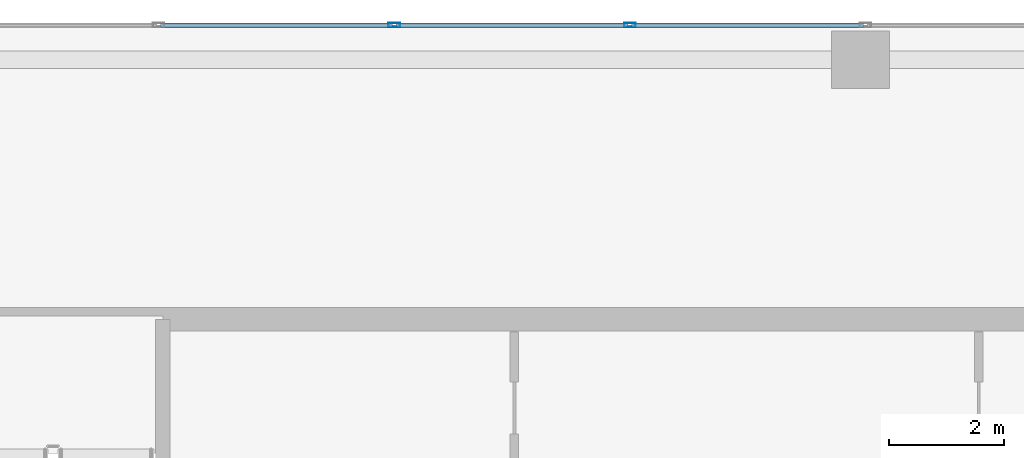
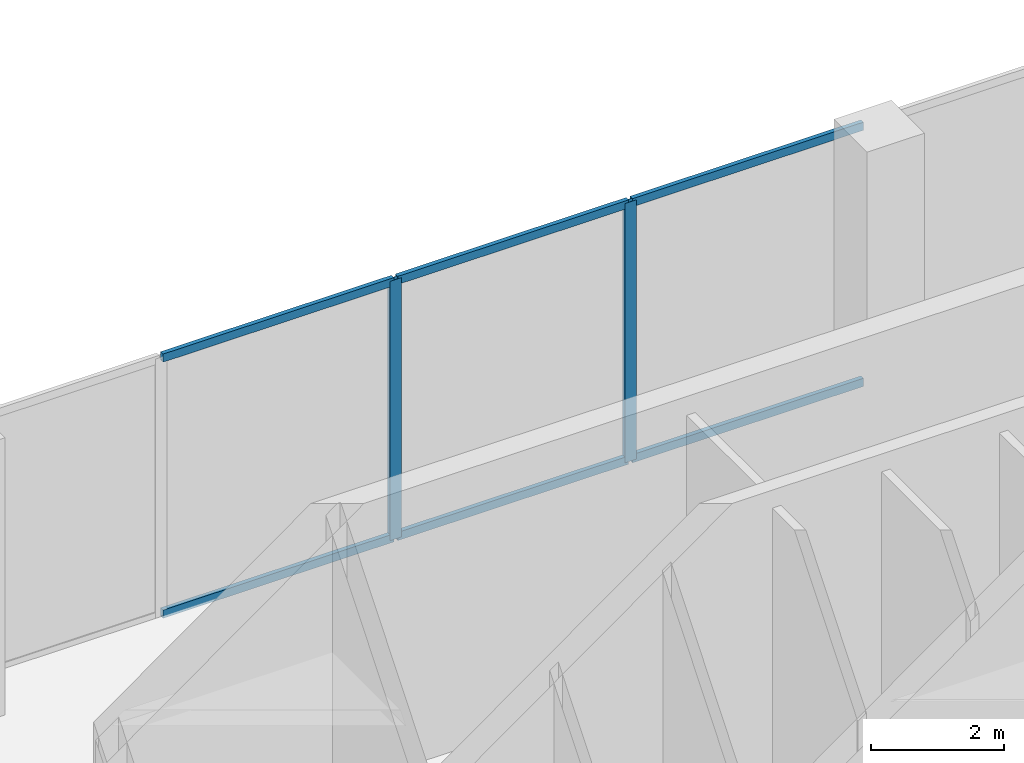
# One storey, part 15 of 24: 8 members, 1 element without a shape of its own.
"""IFC4 building model written with IfcOpenShell, lengths in metres."""

import ifcopenshell
import ifcopenshell.guid

model = None  # the IFC model being written
_history = None  # IfcOwnerHistory: only IFC2X3 demands one
_inside = {}  # id of a spatial element -> (the spatial element, [elements in it])
_under = {}  # id of a project, library or spatial element -> (it, [spatial elements below it])
_declared = {}  # id of a project -> (the project, [libraries it declares])
_typed = {}  # id of a type object -> (the type object, [elements of that type])
_made_of = {}  # id of a material, layer set ... -> (it, [elements and type objects made of it])


def new_model(schema):
    """Start an empty IFC model of exactly this schema.

    Asked for "IFC4X3", IfcOpenShell would pick the latest addendum, in which some entities
    have other attributes; the version numbers below select the first issue.
    IFC2X3 requires an IfcOwnerHistory on every rooted entity: one is made here for all.
    """
    global model, _history
    if schema == "IFC4X3":
        model = ifcopenshell.file(schema_version=(4, 3, 0, 0))
    else:
        model = ifcopenshell.file(schema=schema)
    _inside.clear()
    _under.clear()
    _declared.clear()
    _typed.clear()
    _made_of.clear()
    _history = None
    if model.schema == "IFC2X3":
        org = make("IfcOrganization", Name="unknown")
        user = make(
            "IfcPersonAndOrganization",
            ThePerson=make("IfcPerson", FamilyName="unknown"),
            TheOrganization=org,
        )
        app = make(
            "IfcApplication",
            ApplicationDeveloper=org,
            Version="unknown",
            ApplicationFullName="unknown",
            ApplicationIdentifier="unknown",
        )
        _history = make(
            "IfcOwnerHistory",
            OwningUser=user,
            OwningApplication=app,
            ChangeAction="ADDED",
            CreationDate=0,
        )
    return model


def make(cls, **values):
    """One entity of the class cls with the attributes given. An attribute that is None is left unset."""
    return model.create_entity(
        cls, **{name: value for name, value in values.items() if value is not None}
    )


def rooted(cls, **values):
    """An entity with a GlobalId (a new one), such as an element, a storey or a relation."""
    return make(cls, GlobalId=ifcopenshell.guid.new(), OwnerHistory=_history, **values)


def si_unit(unit_type, name, prefix=None):
    """IfcSIUnit, for example si_unit("LENGTHUNIT", "METRE", prefix="MILLI")."""
    return make("IfcSIUnit", UnitType=unit_type, Prefix=prefix, Name=name)


def assignment(units):
    """IfcUnitAssignment: the units of a project."""
    return None if units is None else make("IfcUnitAssignment", Units=units)


def point(xyz):
    """IfcCartesianPoint."""
    return None if xyz is None else make("IfcCartesianPoint", Coordinates=xyz)


def direction(xyz):
    """IfcDirection."""
    return None if xyz is None else make("IfcDirection", DirectionRatios=xyz)


def frame(location, z_axis=None, x_axis=None):
    """IfcAxis2Placement3D, a coordinate frame: its origin and axes. An axis left out is left unset."""
    return make(
        "IfcAxis2Placement3D",
        Location=point(location),
        Axis=direction(z_axis),
        RefDirection=direction(x_axis),
    )


def frame_2d(location, x_axis=None):
    """IfcAxis2Placement2D, a coordinate frame in the plane: its origin and x axis."""
    return make(
        "IfcAxis2Placement2D", Location=point(location), RefDirection=direction(x_axis)
    )


def origin():
    """The frame at (0, 0, 0) with its axes left unset."""
    return frame((0.0, 0.0, 0.0))


def origin_2d():
    """The frame at (0, 0) in the plane with its x axis left unset."""
    return frame_2d((0.0, 0.0))


def place(relative_to, where):
    """IfcLocalPlacement: puts the frame where relative to a parent placement (None: the world)."""
    return make(
        "IfcLocalPlacement", PlacementRelTo=relative_to, RelativePlacement=where
    )


def context(
    kind, dimensions, precision=None, world=None, true_north=None, identifier=None
):
    """IfcGeometricRepresentationContext, for example the 3D "Model" context."""
    return make(
        "IfcGeometricRepresentationContext",
        ContextIdentifier=identifier,
        ContextType=kind,
        CoordinateSpaceDimension=dimensions,
        Precision=precision,
        WorldCoordinateSystem=world,
        TrueNorth=true_north,
    )


def subcontext(parent, identifier, kind, view, scale=None):
    """IfcGeometricRepresentationSubContext, for example "Body" below "Model"."""
    return make(
        "IfcGeometricRepresentationSubContext",
        ContextIdentifier=identifier,
        ContextType=kind,
        ParentContext=parent,
        TargetScale=scale,
        TargetView=view,
    )


def project(units=None, contexts=None):
    """IfcProject with its units and contexts."""
    return rooted(
        "IfcProject",
        Name="project",
        RepresentationContexts=contexts,
        UnitsInContext=assignment(units),
    )


def spatial(cls, under=None, at=None, **own):
    """A site, building, storey or space (cls), placed at a placement, below another one or the project."""
    s = rooted(cls, ObjectPlacement=at, **own)
    if under is not None:
        _under.setdefault(under.id(), (under, []))[1].append(s)
    return s


def profile(cls, at=None, kind="AREA", **sizes):
    """A parametric profile (cls). Its sizes go by their IFC names, for example OverallWidth=200.0."""
    return make(cls, ProfileType=kind, Position=at, **sizes)


def hollow_rectangle(**sizes):
    """IfcRectangleHollowProfileDef."""
    return profile("IfcRectangleHollowProfileDef", **sizes)


def extrude(swept, where, along, depth):
    """IfcExtrudedAreaSolid: the profile swept, set in the frame where, extruded along a direction by depth."""
    return make(
        "IfcExtrudedAreaSolid",
        SweptArea=swept,
        Position=where,
        ExtrudedDirection=direction(along),
        Depth=depth,
    )


def shape(context_of_items, identifier, shape_type, items):
    """IfcShapeRepresentation: the items that make up one representation, for example the "Body"."""
    return make(
        "IfcShapeRepresentation",
        ContextOfItems=context_of_items,
        RepresentationIdentifier=identifier,
        RepresentationType=shape_type,
        Items=items,
    )


def material(Name=None, Category=None):
    """IfcMaterial."""
    return make("IfcMaterial", Name=Name, Category=Category)


def layer(
    of_material, thickness, ventilated=None, Name=None, Category=None, Priority=None
):
    """IfcMaterialLayer: one layer of a wall or slab, of a material (None: an air gap)."""
    return make(
        "IfcMaterialLayer",
        Material=of_material,
        LayerThickness=thickness,
        IsVentilated=ventilated,
        Name=Name,
        Category=Category,
        Priority=Priority,
    )


def layer_set(layers, Name=None):
    """IfcMaterialLayerSet."""
    return make("IfcMaterialLayerSet", MaterialLayers=layers, LayerSetName=Name)


def material_profile(
    of_material, cross_section, Name=None, Category=None, Priority=None
):
    """IfcMaterialProfile: a cross section and its material."""
    return make(
        "IfcMaterialProfile",
        Name=Name,
        Material=of_material,
        Profile=cross_section,
        Priority=Priority,
        Category=Category,
    )


def profile_set(profiles, Name=None, composite=None):
    """IfcMaterialProfileSet."""
    return make(
        "IfcMaterialProfileSet",
        Name=Name,
        MaterialProfiles=profiles,
        CompositeProfile=composite,
    )


def made_of(thing, what):
    """Note that an element or type object is made of a material, layer set ...; save() writes the relation."""
    if what is not None:
        _made_of.setdefault(what.id(), (what, []))[1].append(thing)
    return thing


def type_object(cls, material=None, **own):
    """A type object (cls), such as IfcWallType, which elements share."""
    return made_of(rooted(cls, **own), material)


def element(
    cls,
    number,
    at=None,
    inside=None,
    cuts=None,
    type_object=None,
    material=None,
    context=None,
    identifier="Body",
    shape_type=None,
    held_by="IfcProductDefinitionShape",
    body=None,
    shapes=None,
    **own,
):
    """One element of the class cls, such as IfcWall. Its Tag is "e" and its number.

    at: its placement. inside: the storey or other place that contains it. cuts: it is an
    opening in that element (IfcRelVoidsElement). A single representation is given by context,
    identifier, shape_type and body (its items); several are given by shapes. held_by: the class
    of the entity that holds the representations. save() writes the other relations.
    """
    e = rooted(cls, Tag="e%d" % number, ObjectPlacement=at, **own)
    if body is not None:
        shapes = [shape(context, identifier, shape_type, body)]
    if shapes is not None:
        e.Representation = make(held_by, Representations=shapes)
    if inside is not None:
        _inside.setdefault(inside.id(), (inside, []))[1].append(e)
    if cuts is not None:
        rooted(
            "IfcRelVoidsElement", RelatingBuildingElement=cuts, RelatedOpeningElement=e
        )
    if type_object is not None:
        _typed.setdefault(type_object.id(), (type_object, []))[1].append(e)
    return made_of(e, material)


def aggregate(whole, parts):
    """IfcRelAggregates: a whole, such as a stair, and the parts it consists of."""
    return rooted("IfcRelAggregates", RelatingObject=whole, RelatedObjects=parts)


def save(model, path):
    """Write the relations noted so far, then the file.

    IfcRelAggregates (storeys below a building ...), IfcRelContainedInSpatialStructure (elements
    in a storey), IfcRelDefinesByType, IfcRelAssociatesMaterial and IfcRelDeclares: one each for
    every whole, place, type object, material and project.
    """
    for whole, parts in _under.values():
        aggregate(whole, parts)
    for where, things in _inside.values():
        rooted(
            "IfcRelContainedInSpatialStructure",
            RelatedElements=things,
            RelatingStructure=where,
        )
    for kind, things in _typed.values():
        rooted("IfcRelDefinesByType", RelatedObjects=things, RelatingType=kind)
    for what, things in _made_of.values():
        rooted("IfcRelAssociatesMaterial", RelatedObjects=things, RelatingMaterial=what)
    for by, libraries in _declared.values():
        rooted("IfcRelDeclares", RelatingContext=by, RelatedDefinitions=libraries)
    model.write(path)


model = new_model("IFC4")

# Units and contexts
model_context = context("Model", 3, precision=1e-05, world=origin(), true_north=direction((0.0, 1.0)))
body_context = subcontext(model_context, "Body", "Model", "MODEL_VIEW")
ifc_project = project(units=[si_unit("LENGTHUNIT", "METRE"), si_unit("AREAUNIT", "SQUARE_METRE"), si_unit("VOLUMEUNIT", "CUBIC_METRE"), si_unit("PLANEANGLEUNIT", "RADIAN"), si_unit("MASSUNIT", "GRAM", prefix="KILO")], contexts=[model_context])

# Site, building, storey
site_placement = place(None, origin())
site = spatial("IfcSite", under=ifc_project, at=site_placement, CompositionType="ELEMENT")
building_placement = place(site_placement, origin())
building = spatial("IfcBuilding", under=site, at=building_placement, Name="Catumbela Crestline Tower", CompositionType="ELEMENT")
storey_placement = place(building_placement, frame((0.0, 0.0, 6.0)))
storey = spatial("IfcBuildingStorey", under=building, at=storey_placement, Name="L01", CompositionType="ELEMENT", Elevation=6.0)

# Curtain wall, members
ifc_material = material(Name="Aluminium alloy AW-6060-T66", Category="aluminium")
ifc_layer = layer(ifc_material, 0.18, Name="Aluminium alloy AW-6060-T66")
ifc_layer_set = layer_set([ifc_layer], Name="Aluminium alloy AW-6060-T66")
curtain_wall_type = type_object("IfcCurtainWallType", Name="CWS-POD", PredefinedType="USERDEFINED", material=ifc_layer_set)
curtain_wall_placement = place(storey_placement, origin())
curtain_wall = element("IfcCurtainWall", 1, at=curtain_wall_placement, inside=storey, type_object=curtain_wall_type, Name="L01 Stick Curtain Wall CW-L01-E7S1", ObjectType="STICK", PredefinedType="USERDEFINED")
ifc_material_profile_1 = material_profile(ifc_material, hollow_rectangle(XDim=0.075, YDim=0.2, WallThickness=0.005, at=origin_2d()), Name="ALU 200x75x5")
ifc_profile_set_1 = profile_set([ifc_material_profile_1], Name="Aluminium alloy AW-6060-T66")
member_type_1 = type_object("IfcMemberType", Name="MUL-200X75", PredefinedType="MULLION", material=ifc_profile_set_1)
member_1_placement = place(storey_placement, frame((28.0, 48.0, 0.0), z_axis=(0.0, 0.0, 1.0), x_axis=(0.0, -1.0, 0.0)))
member_1 = element("IfcMember", 2, at=member_1_placement, type_object=member_type_1, Name="CWS-POD mullion 7", PredefinedType="MULLION", context=body_context, shape_type="SweptSolid", body=[
    extrude(hollow_rectangle(XDim=0.075, YDim=0.2, WallThickness=0.005, at=origin_2d()), origin(), (0.0, 0.0, 1.0), 4.77),
])
member_2_placement = place(storey_placement, frame((23.9167, 48.0, 0.0), z_axis=(0.0, 0.0, 1.0), x_axis=(0.0, -1.0, 0.0)))
member_2 = element("IfcMember", 3, at=member_2_placement, type_object=member_type_1, Name="CWS-POD mullion 8", PredefinedType="MULLION", context=body_context, shape_type="SweptSolid", body=[
    extrude(hollow_rectangle(XDim=0.075, YDim=0.2, WallThickness=0.005, at=origin_2d()), origin(), (0.0, 0.0, 1.0), 4.77),
])
ifc_material_profile_2 = material_profile(ifc_material, hollow_rectangle(XDim=0.075, YDim=0.15, WallThickness=0.0045, at=origin_2d()), Name="ALU 150x75x4.5")
ifc_profile_set_2 = profile_set([ifc_material_profile_2], Name="Aluminium alloy AW-6060-T66")
member_type_2 = type_object("IfcMemberType", Name="TRN-150X75", PredefinedType="USERDEFINED", material=ifc_profile_set_2)
member_3_placement = place(storey_placement, frame((32.0508, 48.0, 0.03), z_axis=(-1.0, 0.0, 0.0), x_axis=(0.0, -1.0, 0.0)))
member_3 = element("IfcMember", 4, at=member_3_placement, type_object=member_type_2, Name="CWS-POD transom 6.1", ObjectType="TRANSOM", PredefinedType="USERDEFINED", context=body_context, shape_type="SweptSolid", body=[
    extrude(hollow_rectangle(XDim=0.075, YDim=0.15, WallThickness=0.0045, at=origin_2d()), origin(), (0.0, 0.0, 1.0), 4.0183),
])
member_4_placement = place(storey_placement, frame((32.0508, 48.0, 4.74), z_axis=(-1.0, 0.0, 0.0), x_axis=(0.0, -1.0, 0.0)))
member_4 = element("IfcMember", 5, at=member_4_placement, type_object=member_type_2, Name="CWS-POD transom 6.2", ObjectType="TRANSOM", PredefinedType="USERDEFINED", context=body_context, shape_type="SweptSolid", body=[
    extrude(hollow_rectangle(XDim=0.075, YDim=0.15, WallThickness=0.0045, at=origin_2d()), origin(), (0.0, 0.0, 1.0), 4.0183),
])
member_5_placement = place(storey_placement, frame((27.9675, 48.0, 0.03), z_axis=(-1.0, 0.0, 0.0), x_axis=(0.0, -1.0, 0.0)))
member_5 = element("IfcMember", 6, at=member_5_placement, type_object=member_type_2, Name="CWS-POD transom 7.1", ObjectType="TRANSOM", PredefinedType="USERDEFINED", context=body_context, shape_type="SweptSolid", body=[
    extrude(hollow_rectangle(XDim=0.075, YDim=0.15, WallThickness=0.0045, at=origin_2d()), origin(), (0.0, 0.0, 1.0), 4.0183),
])
member_6_placement = place(storey_placement, frame((27.9675, 48.0, 4.74), z_axis=(-1.0, 0.0, 0.0), x_axis=(0.0, -1.0, 0.0)))
member_6 = element("IfcMember", 7, at=member_6_placement, type_object=member_type_2, Name="CWS-POD transom 7.2", ObjectType="TRANSOM", PredefinedType="USERDEFINED", context=body_context, shape_type="SweptSolid", body=[
    extrude(hollow_rectangle(XDim=0.075, YDim=0.15, WallThickness=0.0045, at=origin_2d()), origin(), (0.0, 0.0, 1.0), 4.0183),
])
member_7_placement = place(storey_placement, frame((23.8842, 48.0, 0.03), z_axis=(-1.0, 0.0, 0.0), x_axis=(0.0, -1.0, 0.0)))
member_7 = element("IfcMember", 8, at=member_7_placement, type_object=member_type_2, Name="CWS-POD transom 8.1", ObjectType="TRANSOM", PredefinedType="USERDEFINED", context=body_context, shape_type="SweptSolid", body=[
    extrude(hollow_rectangle(XDim=0.075, YDim=0.15, WallThickness=0.0045, at=origin_2d()), origin(), (0.0, 0.0, 1.0), 4.0184),
])
member_8_placement = place(storey_placement, frame((23.8842, 48.0, 4.74), z_axis=(-1.0, 0.0, 0.0), x_axis=(0.0, -1.0, 0.0)))
member_8 = element("IfcMember", 9, at=member_8_placement, type_object=member_type_2, Name="CWS-POD transom 8.2", ObjectType="TRANSOM", PredefinedType="USERDEFINED", context=body_context, shape_type="SweptSolid", body=[
    extrude(hollow_rectangle(XDim=0.075, YDim=0.15, WallThickness=0.0045, at=origin_2d()), origin(), (0.0, 0.0, 1.0), 4.0184),
])
aggregate(curtain_wall, [member_1, member_2, member_3, member_4, member_5, member_6, member_7, member_8])

save(model, "model.ifc")
